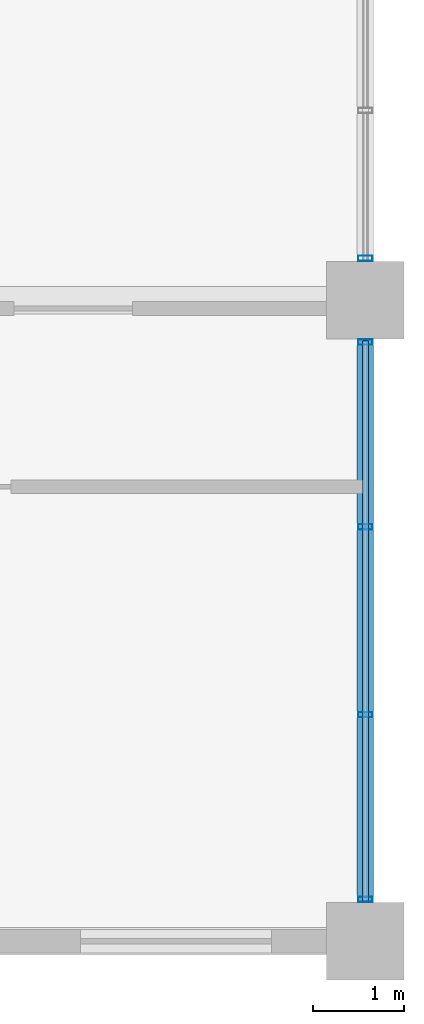
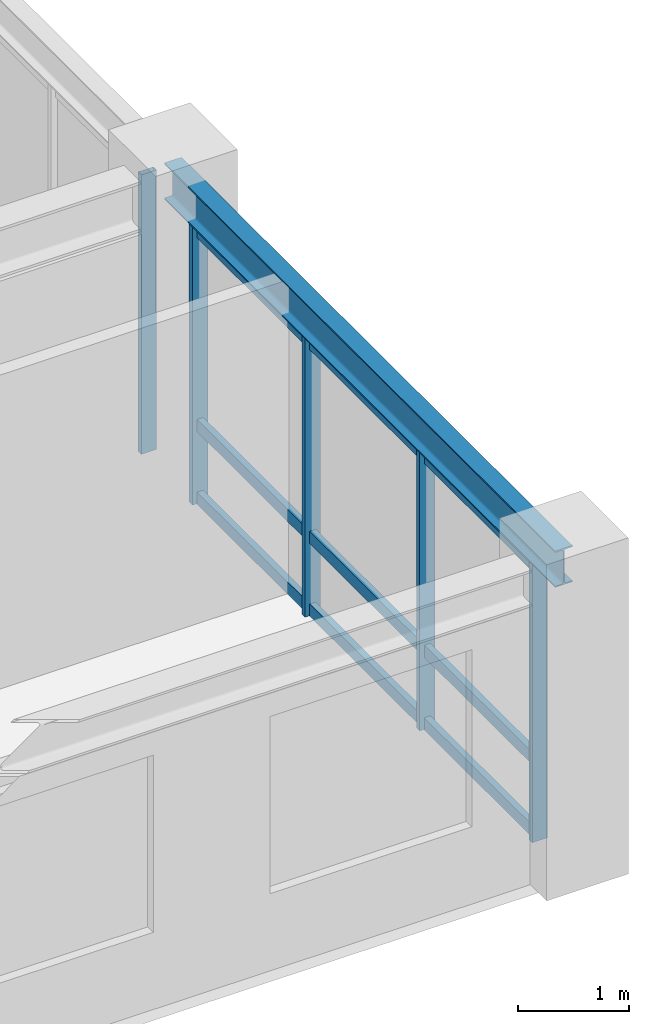
# One storey, part 2 of 11: 8 members, 1 beam, 2 elements without a shape of their own.
"""IFC4 building model written with IfcOpenShell, lengths in metres."""

from ifc_helpers import new_model, si_unit, direction, frame, origin, origin_2d, place, context, subcontext, project, spatial, hollow_rectangle, i_section, extrude, source, transform, mapped, material, layer, layer_set, material_profile, profile_set, type_object, element, aggregate, save


model = new_model("IFC4")

# Units and contexts
model_context = context("Model", 3, precision=1e-05, world=origin(), true_north=direction((0.0, 1.0)))
body_context = subcontext(model_context, "Body", "Model", "MODEL_VIEW")
ifc_project = project(units=[si_unit("LENGTHUNIT", "METRE"), si_unit("AREAUNIT", "SQUARE_METRE"), si_unit("VOLUMEUNIT", "CUBIC_METRE"), si_unit("PLANEANGLEUNIT", "RADIAN"), si_unit("MASSUNIT", "GRAM", prefix="KILO")], contexts=[model_context])

# Site, building, storey
site_placement = place(None, origin())
site = spatial("IfcSite", under=ifc_project, at=site_placement, CompositionType="ELEMENT")
building_placement = place(site_placement, origin())
building = spatial("IfcBuilding", under=site, at=building_placement, Name="Kaliganga Portal Commons", CompositionType="ELEMENT")
storey_placement = place(building_placement, frame((0.0, 0.0, 268.39990234375)))
storey = spatial("IfcBuildingStorey", under=building, at=storey_placement, Name="L69", CompositionType="ELEMENT", Elevation=268.39990234375)

# Beam
ifc_material_1 = material(Name="Structural steel S355J2", Category="steel")
ifc_material_profile_1 = material_profile(ifc_material_1, i_section(OverallWidth=0.179931640625, OverallDepth=0.39990234375, WebThickness=0.008544921875, FlangeThickness=0.013427734375, FilletRadius=0.02099609375, at=origin_2d()), Name="IPE 400")
ifc_profile_set_1 = profile_set([ifc_material_profile_1], Name="Structural steel S355J2 wide-flange")
beam_type = type_object("IfcBeamType", Name="BM-FLR-400", PredefinedType="BEAM", material=ifc_profile_set_1)
shared_shape_1 = source(origin(), body_context, "Body", "SweptSolid", [
    extrude(i_section(OverallWidth=0.179931640625, OverallDepth=0.39990234375, WebThickness=0.008544921875, FlangeThickness=0.013427734375, FilletRadius=0.02099609375, at=origin_2d()), origin(), (0.0, 0.0, 1.0), 7.0498046875),
])
beam_placement = place(storey_placement, frame((46.800048828125, 21.60009765625, 3.275146484375), z_axis=(0.0, 1.0, 0.0), x_axis=(-1.0, 0.0, 0.0)))
element("IfcBeam", 1, at=beam_placement, inside=storey, type_object=beam_type, Name="BM G L69 AS468", PredefinedType="BEAM", context=body_context, shape_type="MappedRepresentation", body=[
    mapped(shared_shape_1, transform((0.0, 0.0, 0.0), x_axis=(1.0, 0.0, 0.0), y_axis=(0.0, 1.0, 0.0), z_axis=(0.0, 0.0, 1.0), scale=1.0)),
])

# Curtain wall, members
ifc_material_2 = material(Name="Anodized Aluminium and Laminated Low-E Glass", Category="aluminium")
ifc_layer = layer(ifc_material_2, 0.18994140625)
ifc_layer_set = layer_set([ifc_layer], Name="Anodized Aluminium and Laminated Low-E Glass")
curtain_wall_type = type_object("IfcCurtainWallType", Name="CW-SYS-05", PredefinedType="NOTDEFINED", material=ifc_layer_set)
curtain_wall_1_placement = place(storey_placement, origin())
curtain_wall_1 = element("IfcCurtainWall", 2, at=curtain_wall_1_placement, inside=storey, type_object=curtain_wall_type, Name="CW 05 L69 P1E01S1", PredefinedType="NOTDEFINED")
ifc_material_3 = material(Name="Dark Bronze Anodized Aluminium", Category="aluminium")
ifc_material_profile_2 = material_profile(ifc_material_3, hollow_rectangle(XDim=0.06494140625, YDim=0.135009765625, WallThickness=0.00341796875, at=origin_2d()), Name="ALU TRAN 65x135x3.5")
ifc_profile_set_2 = profile_set([ifc_material_profile_2], Name="Dark Bronze Anodized Aluminium")
member_type_1 = type_object("IfcMemberType", Name="CW-TRN-135", PredefinedType="USERDEFINED", material=ifc_profile_set_2)
shared_shape_2 = source(origin(), body_context, "Body", "SweptSolid", [
    extrude(hollow_rectangle(XDim=0.06494140625, YDim=0.135009765625, WallThickness=0.00341796875, at=origin_2d()), origin(), (0.0, 0.0, 1.0), 6.158203125),
])
member_1_placement = place(storey_placement, frame((46.800048828125, 22.0458984375, 0.06005859375), z_axis=(0.0, 1.0, 0.0), x_axis=(-1.0, 0.0, 0.0)))
member_1 = element("IfcMember", 3, at=member_1_placement, type_object=member_type_1, Name="CW:05:L69:P1E01S1 Transom 1", ObjectType="TRANSOM", PredefinedType="USERDEFINED", context=body_context, shape_type="MappedRepresentation", body=[
    mapped(shared_shape_2, transform((0.0, 0.0, 0.0), x_axis=(1.0, 0.0, 0.0), y_axis=(0.0, 1.0, 0.0), z_axis=(0.0, 0.0, 1.0), scale=1.0)),
])
member_2_placement = place(storey_placement, frame((46.800048828125, 22.0458984375, 0.861083984375), z_axis=(0.0, 1.0, 0.0), x_axis=(-1.0, 0.0, 0.0)))
member_2 = element("IfcMember", 4, at=member_2_placement, type_object=member_type_1, Name="CW:05:L69:P1E01S1 Transom 2", ObjectType="TRANSOM", PredefinedType="USERDEFINED", context=body_context, shape_type="MappedRepresentation", body=[
    mapped(shared_shape_2, transform((0.0, 0.0, 0.0), x_axis=(1.0, 0.0, 0.0), y_axis=(0.0, 1.0, 0.0), z_axis=(0.0, 0.0, 1.0), scale=1.0)),
])
member_3_placement = place(storey_placement, frame((46.800048828125, 22.0458984375, 2.9951171875), z_axis=(0.0, 1.0, 0.0), x_axis=(-1.0, 0.0, 0.0)))
member_3 = element("IfcMember", 5, at=member_3_placement, type_object=member_type_1, Name="CW:05:L69:P1E01S1 Transom 3", ObjectType="TRANSOM", PredefinedType="USERDEFINED", context=body_context, shape_type="MappedRepresentation", body=[
    mapped(shared_shape_2, transform((0.0, 0.0, 0.0), x_axis=(1.0, 0.0, 0.0), y_axis=(0.0, 1.0, 0.0), z_axis=(0.0, 0.0, 1.0), scale=1.0)),
])
ifc_material_profile_3 = material_profile(ifc_material_3, hollow_rectangle(XDim=0.06005859375, YDim=0.159912109375, WallThickness=0.00341796875, at=origin_2d()), Name="ALU MULL 60x160x3.5")
ifc_profile_set_3 = profile_set([ifc_material_profile_3], Name="Dark Bronze Anodized Aluminium")
member_type_2 = type_object("IfcMemberType", Name="CW-MUL-160", PredefinedType="MULLION", material=ifc_profile_set_3)
shared_shape_3 = source(origin(), body_context, "Body", "SweptSolid", [
    extrude(hollow_rectangle(XDim=0.06005859375, YDim=0.159912109375, WallThickness=0.00341796875, at=origin_2d()), origin(), (0.0, 0.0, 1.0), 3.0751953125),
])
member_4_placement = place(storey_placement, frame((46.800048828125, 22.06103515625, 0.0), z_axis=(0.0, 0.0, 1.0), x_axis=(0.0, 1.0, 0.0)))
member_4 = element("IfcMember", 6, at=member_4_placement, type_object=member_type_2, Name="CW:05:L69:P1E01S1 Mullion 00", PredefinedType="MULLION", context=body_context, shape_type="MappedRepresentation", body=[
    mapped(shared_shape_3, transform((0.0, 0.0, 0.0), x_axis=(1.0, 0.0, 0.0), y_axis=(0.0, 1.0, 0.0), z_axis=(0.0, 0.0, 1.0), scale=1.0)),
])
member_5_placement = place(storey_placement, frame((46.800048828125, 24.092041015625, 0.0), z_axis=(0.0, 0.0, 1.0), x_axis=(0.0, 1.0, 0.0)))
member_5 = element("IfcMember", 7, at=member_5_placement, type_object=member_type_2, Name="CW:05:L69:P1E01S1 Mullion 01", PredefinedType="MULLION", context=body_context, shape_type="MappedRepresentation", body=[
    mapped(shared_shape_3, transform((0.0, 0.0, 0.0), x_axis=(1.0, 0.0, 0.0), y_axis=(0.0, 1.0, 0.0), z_axis=(0.0, 0.0, 1.0), scale=1.0)),
])
member_6_placement = place(storey_placement, frame((46.800048828125, 26.157958984375, 0.0), z_axis=(0.0, 0.0, 1.0), x_axis=(0.0, 1.0, 0.0)))
member_6 = element("IfcMember", 8, at=member_6_placement, type_object=member_type_2, Name="CW:05:L69:P1E01S1 Mullion 02", PredefinedType="MULLION", context=body_context, shape_type="MappedRepresentation", body=[
    mapped(shared_shape_3, transform((0.0, 0.0, 0.0), x_axis=(1.0, 0.0, 0.0), y_axis=(0.0, 1.0, 0.0), z_axis=(0.0, 0.0, 1.0), scale=1.0)),
])
member_7_placement = place(storey_placement, frame((46.800048828125, 28.18896484375, 0.0), z_axis=(0.0, 0.0, 1.0), x_axis=(0.0, 1.0, 0.0)))
member_7 = element("IfcMember", 9, at=member_7_placement, type_object=member_type_2, Name="CW:05:L69:P1E01S1 Mullion 03", PredefinedType="MULLION", context=body_context, shape_type="MappedRepresentation", body=[
    mapped(shared_shape_3, transform((0.0, 0.0, 0.0), x_axis=(1.0, 0.0, 0.0), y_axis=(0.0, 1.0, 0.0), z_axis=(0.0, 0.0, 1.0), scale=1.0)),
])
aggregate(curtain_wall_1, [member_4, member_5, member_6, member_7, member_1, member_2, member_3])

# Curtain wall, member
curtain_wall_2_placement = place(storey_placement, origin())
curtain_wall_2 = element("IfcCurtainWall", 10, at=curtain_wall_2_placement, inside=storey, type_object=curtain_wall_type, Name="CW 05 L69 P1E01S2", PredefinedType="NOTDEFINED")
member_8_placement = place(storey_placement, frame((46.800048828125, 29.111083984375, 0.0), z_axis=(0.0, 0.0, 1.0), x_axis=(0.0, 1.0, 0.0)))
member_8 = element("IfcMember", 11, at=member_8_placement, type_object=member_type_2, Name="CW:05:L69:P1E01S2 Mullion 00", PredefinedType="MULLION", context=body_context, shape_type="MappedRepresentation", body=[
    mapped(shared_shape_3, transform((0.0, 0.0, 0.0), x_axis=(1.0, 0.0, 0.0), y_axis=(0.0, 1.0, 0.0), z_axis=(0.0, 0.0, 1.0), scale=1.0)),
])
aggregate(curtain_wall_2, [member_8])

save(model, "model.ifc")
